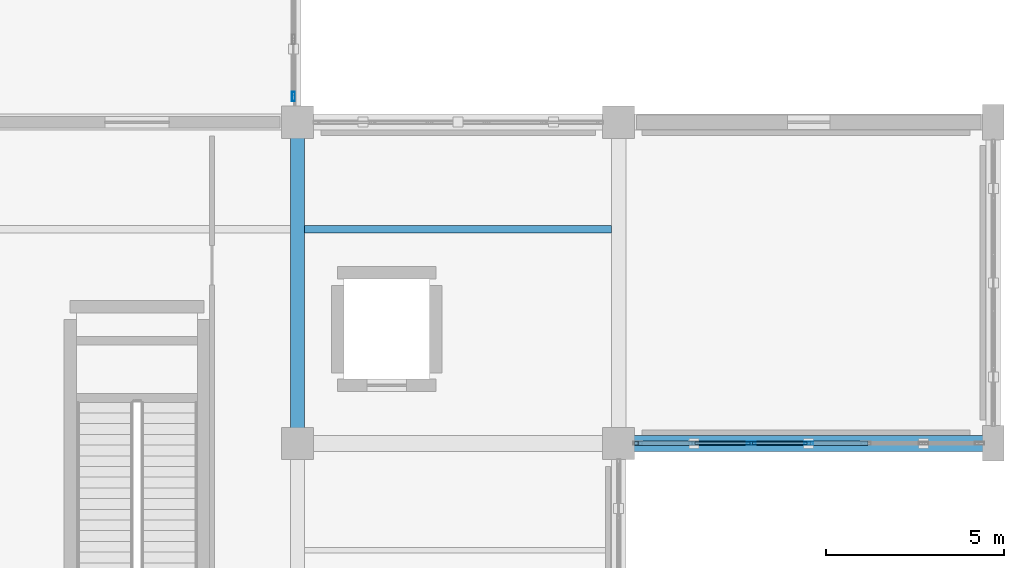
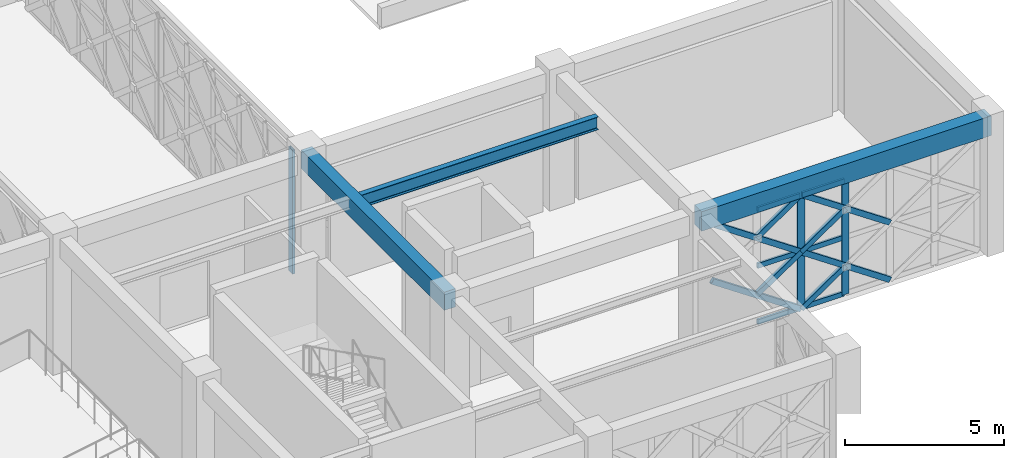
# One storey, part 102 of 166: 17 members, 3 beams, 2 elements without a shape of their own.
"""IFC4 building model written with IfcOpenShell, lengths in metres."""

import ifcopenshell
import ifcopenshell.guid

model = None  # the IFC model being written
_history = None  # IfcOwnerHistory: only IFC2X3 demands one
_inside = {}  # id of a spatial element -> (the spatial element, [elements in it])
_under = {}  # id of a project, library or spatial element -> (it, [spatial elements below it])
_declared = {}  # id of a project -> (the project, [libraries it declares])
_typed = {}  # id of a type object -> (the type object, [elements of that type])
_made_of = {}  # id of a material, layer set ... -> (it, [elements and type objects made of it])


def new_model(schema):
    """Start an empty IFC model of exactly this schema.

    Asked for "IFC4X3", IfcOpenShell would pick the latest addendum, in which some entities
    have other attributes; the version numbers below select the first issue.
    IFC2X3 requires an IfcOwnerHistory on every rooted entity: one is made here for all.
    """
    global model, _history
    if schema == "IFC4X3":
        model = ifcopenshell.file(schema_version=(4, 3, 0, 0))
    else:
        model = ifcopenshell.file(schema=schema)
    _inside.clear()
    _under.clear()
    _declared.clear()
    _typed.clear()
    _made_of.clear()
    _history = None
    if model.schema == "IFC2X3":
        org = make("IfcOrganization", Name="unknown")
        user = make(
            "IfcPersonAndOrganization",
            ThePerson=make("IfcPerson", FamilyName="unknown"),
            TheOrganization=org,
        )
        app = make(
            "IfcApplication",
            ApplicationDeveloper=org,
            Version="unknown",
            ApplicationFullName="unknown",
            ApplicationIdentifier="unknown",
        )
        _history = make(
            "IfcOwnerHistory",
            OwningUser=user,
            OwningApplication=app,
            ChangeAction="ADDED",
            CreationDate=0,
        )
    return model


def make(cls, **values):
    """One entity of the class cls with the attributes given. An attribute that is None is left unset."""
    return model.create_entity(
        cls, **{name: value for name, value in values.items() if value is not None}
    )


def rooted(cls, **values):
    """An entity with a GlobalId (a new one), such as an element, a storey or a relation."""
    return make(cls, GlobalId=ifcopenshell.guid.new(), OwnerHistory=_history, **values)


def si_unit(unit_type, name, prefix=None):
    """IfcSIUnit, for example si_unit("LENGTHUNIT", "METRE", prefix="MILLI")."""
    return make("IfcSIUnit", UnitType=unit_type, Prefix=prefix, Name=name)


def assignment(units):
    """IfcUnitAssignment: the units of a project."""
    return None if units is None else make("IfcUnitAssignment", Units=units)


def point(xyz):
    """IfcCartesianPoint."""
    return None if xyz is None else make("IfcCartesianPoint", Coordinates=xyz)


def direction(xyz):
    """IfcDirection."""
    return None if xyz is None else make("IfcDirection", DirectionRatios=xyz)


def frame(location, z_axis=None, x_axis=None):
    """IfcAxis2Placement3D, a coordinate frame: its origin and axes. An axis left out is left unset."""
    return make(
        "IfcAxis2Placement3D",
        Location=point(location),
        Axis=direction(z_axis),
        RefDirection=direction(x_axis),
    )


def frame_2d(location, x_axis=None):
    """IfcAxis2Placement2D, a coordinate frame in the plane: its origin and x axis."""
    return make(
        "IfcAxis2Placement2D", Location=point(location), RefDirection=direction(x_axis)
    )


def origin():
    """The frame at (0, 0, 0) with its axes left unset."""
    return frame((0.0, 0.0, 0.0))


def origin_2d():
    """The frame at (0, 0) in the plane with its x axis left unset."""
    return frame_2d((0.0, 0.0))


def place(relative_to, where):
    """IfcLocalPlacement: puts the frame where relative to a parent placement (None: the world)."""
    return make(
        "IfcLocalPlacement", PlacementRelTo=relative_to, RelativePlacement=where
    )


def context(
    kind, dimensions, precision=None, world=None, true_north=None, identifier=None
):
    """IfcGeometricRepresentationContext, for example the 3D "Model" context."""
    return make(
        "IfcGeometricRepresentationContext",
        ContextIdentifier=identifier,
        ContextType=kind,
        CoordinateSpaceDimension=dimensions,
        Precision=precision,
        WorldCoordinateSystem=world,
        TrueNorth=true_north,
    )


def subcontext(parent, identifier, kind, view, scale=None):
    """IfcGeometricRepresentationSubContext, for example "Body" below "Model"."""
    return make(
        "IfcGeometricRepresentationSubContext",
        ContextIdentifier=identifier,
        ContextType=kind,
        ParentContext=parent,
        TargetScale=scale,
        TargetView=view,
    )


def project(units=None, contexts=None):
    """IfcProject with its units and contexts."""
    return rooted(
        "IfcProject",
        Name="project",
        RepresentationContexts=contexts,
        UnitsInContext=assignment(units),
    )


def spatial(cls, under=None, at=None, **own):
    """A site, building, storey or space (cls), placed at a placement, below another one or the project."""
    s = rooted(cls, ObjectPlacement=at, **own)
    if under is not None:
        _under.setdefault(under.id(), (under, []))[1].append(s)
    return s


def profile(cls, at=None, kind="AREA", **sizes):
    """A parametric profile (cls). Its sizes go by their IFC names, for example OverallWidth=200.0."""
    return make(cls, ProfileType=kind, Position=at, **sizes)


def rectangle(**sizes):
    """IfcRectangleProfileDef."""
    return profile("IfcRectangleProfileDef", **sizes)


def hollow_rectangle(**sizes):
    """IfcRectangleHollowProfileDef."""
    return profile("IfcRectangleHollowProfileDef", **sizes)


def i_section(**sizes):
    """IfcIShapeProfileDef."""
    return profile("IfcIShapeProfileDef", **sizes)


def extrude(swept, where, along, depth):
    """IfcExtrudedAreaSolid: the profile swept, set in the frame where, extruded along a direction by depth."""
    return make(
        "IfcExtrudedAreaSolid",
        SweptArea=swept,
        Position=where,
        ExtrudedDirection=direction(along),
        Depth=depth,
    )


def shape(context_of_items, identifier, shape_type, items):
    """IfcShapeRepresentation: the items that make up one representation, for example the "Body"."""
    return make(
        "IfcShapeRepresentation",
        ContextOfItems=context_of_items,
        RepresentationIdentifier=identifier,
        RepresentationType=shape_type,
        Items=items,
    )


def material(Name=None, Category=None):
    """IfcMaterial."""
    return make("IfcMaterial", Name=Name, Category=Category)


def material_profile(
    of_material, cross_section, Name=None, Category=None, Priority=None
):
    """IfcMaterialProfile: a cross section and its material."""
    return make(
        "IfcMaterialProfile",
        Name=Name,
        Material=of_material,
        Profile=cross_section,
        Priority=Priority,
        Category=Category,
    )


def profile_set(profiles, Name=None, composite=None):
    """IfcMaterialProfileSet."""
    return make(
        "IfcMaterialProfileSet",
        Name=Name,
        MaterialProfiles=profiles,
        CompositeProfile=composite,
    )


def made_of(thing, what):
    """Note that an element or type object is made of a material, layer set ...; save() writes the relation."""
    if what is not None:
        _made_of.setdefault(what.id(), (what, []))[1].append(thing)
    return thing


def type_object(cls, material=None, **own):
    """A type object (cls), such as IfcWallType, which elements share."""
    return made_of(rooted(cls, **own), material)


def element(
    cls,
    number,
    at=None,
    inside=None,
    cuts=None,
    type_object=None,
    material=None,
    context=None,
    identifier="Body",
    shape_type=None,
    held_by="IfcProductDefinitionShape",
    body=None,
    shapes=None,
    **own,
):
    """One element of the class cls, such as IfcWall. Its Tag is "e" and its number.

    at: its placement. inside: the storey or other place that contains it. cuts: it is an
    opening in that element (IfcRelVoidsElement). A single representation is given by context,
    identifier, shape_type and body (its items); several are given by shapes. held_by: the class
    of the entity that holds the representations. save() writes the other relations.
    """
    e = rooted(cls, Tag="e%d" % number, ObjectPlacement=at, **own)
    if body is not None:
        shapes = [shape(context, identifier, shape_type, body)]
    if shapes is not None:
        e.Representation = make(held_by, Representations=shapes)
    if inside is not None:
        _inside.setdefault(inside.id(), (inside, []))[1].append(e)
    if cuts is not None:
        rooted(
            "IfcRelVoidsElement", RelatingBuildingElement=cuts, RelatedOpeningElement=e
        )
    if type_object is not None:
        _typed.setdefault(type_object.id(), (type_object, []))[1].append(e)
    return made_of(e, material)


def aggregate(whole, parts):
    """IfcRelAggregates: a whole, such as a stair, and the parts it consists of."""
    return rooted("IfcRelAggregates", RelatingObject=whole, RelatedObjects=parts)


def save(model, path):
    """Write the relations noted so far, then the file.

    IfcRelAggregates (storeys below a building ...), IfcRelContainedInSpatialStructure (elements
    in a storey), IfcRelDefinesByType, IfcRelAssociatesMaterial and IfcRelDeclares: one each for
    every whole, place, type object, material and project.
    """
    for whole, parts in _under.values():
        aggregate(whole, parts)
    for where, things in _inside.values():
        rooted(
            "IfcRelContainedInSpatialStructure",
            RelatedElements=things,
            RelatingStructure=where,
        )
    for kind, things in _typed.values():
        rooted("IfcRelDefinesByType", RelatedObjects=things, RelatingType=kind)
    for what, things in _made_of.values():
        rooted("IfcRelAssociatesMaterial", RelatedObjects=things, RelatingMaterial=what)
    for by, libraries in _declared.values():
        rooted("IfcRelDeclares", RelatingContext=by, RelatedDefinitions=libraries)
    model.write(path)


model = new_model("IFC4")

# Units and contexts
model_context = context("Model", 3, precision=1e-05, world=origin(), true_north=direction((0.0, 1.0)))
body_context = subcontext(model_context, "Body", "Model", "MODEL_VIEW")
ifc_project = project(units=[si_unit("LENGTHUNIT", "METRE"), si_unit("AREAUNIT", "SQUARE_METRE"), si_unit("VOLUMEUNIT", "CUBIC_METRE"), si_unit("PLANEANGLEUNIT", "RADIAN"), si_unit("MASSUNIT", "GRAM", prefix="KILO")], contexts=[model_context])

# Site, building, storey
site_placement = place(None, origin())
site = spatial("IfcSite", under=ifc_project, at=site_placement, CompositionType="ELEMENT")
building_placement = place(site_placement, origin())
building = spatial("IfcBuilding", under=site, at=building_placement, Name="Haizhuo Lancet Aquarium", CompositionType="ELEMENT")
storey_placement = place(building_placement, frame((0.0, 0.0, 5.39990234375)))
storey = spatial("IfcBuildingStorey", under=building, at=storey_placement, Name="L01", CompositionType="ELEMENT", Elevation=5.39990234375)

# Beams
ifc_material_1 = material(Name="Concrete C40/50", Category="concrete")
ifc_material_profile_1 = material_profile(ifc_material_1, rectangle(XDim=0.39990234375, YDim=0.699951171875, at=origin_2d()), Name="RC-BM 400x700")
ifc_profile_set_1 = profile_set([ifc_material_profile_1], Name="Concrete C40/50")
beam_type_1 = type_object("IfcBeamType", Name="BM-RC-400x700", PredefinedType="BEAM", material=ifc_profile_set_1)
beam_1_placement = place(storey_placement, frame((63.0, -18.0, 4.7900390625), z_axis=(0.0, 1.0, 0.0), x_axis=(-1.0, 0.0, 0.0)))
element("IfcBeam", 1, at=beam_1_placement, inside=storey, type_object=beam_type_1, Name="L01 V3 primary girder BM-L01-V3-024", PredefinedType="BEAM", context=body_context, shape_type="SweptSolid", body=[
    extrude(rectangle(XDim=0.39990234375, YDim=0.699951171875, at=origin_2d()), origin(), (0.0, 0.0, 1.0), 9.0),
])
ifc_material_profile_2 = material_profile(ifc_material_1, rectangle(XDim=0.449951171875, YDim=0.75, at=origin_2d()), Name="RC-BM 450x750")
ifc_profile_set_2 = profile_set([ifc_material_profile_2], Name="Concrete C40/50")
beam_type_2 = type_object("IfcBeamType", Name="BM-RC-450x750", PredefinedType="BEAM", material=ifc_profile_set_2)
beam_2_placement = place(storey_placement, frame((72.0, -18.0, 4.76513671875), z_axis=(1.0, 0.0, 0.0), x_axis=(0.0, 1.0, 0.0)))
element("IfcBeam", 2, at=beam_2_placement, inside=storey, type_object=beam_type_2, Name="L01 V3 primary girder BM-L01-V3-029", PredefinedType="BEAM", context=body_context, shape_type="SweptSolid", body=[
    extrude(rectangle(XDim=0.449951171875, YDim=0.75, at=origin_2d()), origin(), (0.0, 0.0, 1.0), 10.5),
])

# Curtain wall, members
ifc_material_2 = material(Name="Aluminium 6063-T6", Category="aluminium")
curtain_wall_type_1 = type_object("IfcCurtainWallType", Name="CWO-9660x4390", PredefinedType="NOTDEFINED", material=ifc_material_2)
curtain_wall_1_placement = place(storey_placement, origin())
curtain_wall_1 = element("IfcCurtainWall", 3, at=curtain_wall_1_placement, inside=storey, type_object=curtain_wall_type_1, Name="L01 curtain wall CW-V3-L01-042", PredefinedType="NOTDEFINED")
ifc_material_profile_3 = material_profile(ifc_material_2, hollow_rectangle(XDim=0.080078125, YDim=0.260009765625, WallThickness=0.0048828125, at=origin_2d()), Name="ALU-M 80x260x5")
ifc_profile_set_3 = profile_set([ifc_material_profile_3], Name="Aluminium 6063-T6")
member_type_1 = type_object("IfcMemberType", Name="CW-MUL-3", PredefinedType="MULLION", material=ifc_profile_set_3)
member_1_placement = place(storey_placement, frame((77.324951171875, -18.0, 0.0), z_axis=(0.0, 0.0, 1.0), x_axis=(0.0, -1.0, 0.0)))
member_1 = element("IfcMember", 4, at=member_1_placement, type_object=member_type_1, Name="CWO-96x43 mullion 4", PredefinedType="MULLION", context=body_context, shape_type="SweptSolid", body=[
    extrude(hollow_rectangle(XDim=0.080078125, YDim=0.260009765625, WallThickness=0.0048828125, at=origin_2d()), origin(), (0.0, 0.0, 1.0), 4.39013671875),
])
member_2_placement = place(storey_placement, frame((75.715087890625, -18.0, 0.0), z_axis=(0.0, 0.0, 1.0), x_axis=(0.0, -1.0, 0.0)))
member_2 = element("IfcMember", 5, at=member_2_placement, type_object=member_type_1, Name="CWO-96x43 mullion 5", PredefinedType="MULLION", context=body_context, shape_type="SweptSolid", body=[
    extrude(hollow_rectangle(XDim=0.080078125, YDim=0.260009765625, WallThickness=0.0048828125, at=origin_2d()), origin(), (0.0, 0.0, 1.0), 4.39013671875),
])

# Curtain wall, member
curtain_wall_type_2 = type_object("IfcCurtainWallType", Name="CWO-8200x4750", PredefinedType="NOTDEFINED", material=ifc_material_2)
curtain_wall_2_placement = place(storey_placement, origin())
curtain_wall_2 = element("IfcCurtainWall", 6, at=curtain_wall_2_placement, inside=storey, type_object=curtain_wall_type_2, Name="L01 curtain wall CW-SB-02-E1", PredefinedType="NOTDEFINED")
member_3_placement = place(storey_placement, frame((62.8798828125, -8.280029296875, 0.0), z_axis=(0.0, 0.0, 1.0), x_axis=(1.0, 0.0, 0.0)))
member_3 = element("IfcMember", 7, at=member_3_placement, type_object=member_type_1, Name="CWO-82x47 mullion 6", PredefinedType="MULLION", context=body_context, shape_type="SweptSolid", body=[
    extrude(hollow_rectangle(XDim=0.080078125, YDim=0.260009765625, WallThickness=0.0048828125, at=origin_2d()), origin(), (0.0, 0.0, 1.0), 4.75),
])
aggregate(curtain_wall_2, [member_3])

# Member
ifc_material_profile_4 = material_profile(ifc_material_2, hollow_rectangle(XDim=0.080078125, YDim=0.18994140625, WallThickness=0.0048828125, at=origin_2d()), Name="ALU-T 80x190x5")
ifc_profile_set_4 = profile_set([ifc_material_profile_4], Name="Aluminium 6063-T6")
member_type_2 = type_object("IfcMemberType", Name="CW-TRN-3", PredefinedType="NOTDEFINED", material=ifc_profile_set_4)
member_4_placement = place(storey_placement, frame((77.284912109375, -18.0, 0.0400390625), z_axis=(-1.0, 0.0, 0.0), x_axis=(0.0, -1.0, 0.0)))
member_4 = element("IfcMember", 8, at=member_4_placement, type_object=member_type_2, Name="CWO-96x43 transom 4.1", ObjectType="TRANSOM", PredefinedType="USERDEFINED", context=body_context, shape_type="SweptSolid", body=[
    extrude(hollow_rectangle(XDim=0.080078125, YDim=0.18994140625, WallThickness=0.0048828125, at=origin_2d()), origin(), (0.0, 0.0, 1.0), 1.530029296875),
])

member_5_placement = place(storey_placement, frame((77.284912109375, -18.0, 2.195068359375), z_axis=(-1.0, 0.0, 0.0), x_axis=(0.0, -1.0, 0.0)))
member_5 = element("IfcMember", 9, at=member_5_placement, type_object=member_type_2, Name="CWO-96x43 transom 4.2", ObjectType="TRANSOM", PredefinedType="USERDEFINED", context=body_context, shape_type="SweptSolid", body=[
    extrude(hollow_rectangle(XDim=0.080078125, YDim=0.18994140625, WallThickness=0.0048828125, at=origin_2d()), origin(), (0.0, 0.0, 1.0), 1.530029296875),
])

member_6_placement = place(storey_placement, frame((77.284912109375, -18.0, 4.35009765625), z_axis=(-1.0, 0.0, 0.0), x_axis=(0.0, -1.0, 0.0)))
member_6 = element("IfcMember", 10, at=member_6_placement, type_object=member_type_2, Name="CWO-96x43 transom 4.3", ObjectType="TRANSOM", PredefinedType="USERDEFINED", context=body_context, shape_type="SweptSolid", body=[
    extrude(hollow_rectangle(XDim=0.080078125, YDim=0.18994140625, WallThickness=0.0048828125, at=origin_2d()), origin(), (0.0, 0.0, 1.0), 1.530029296875),
])

member_7_placement = place(storey_placement, frame((75.675048828125, -18.0, 0.0400390625), z_axis=(-1.0, 0.0, 0.0), x_axis=(0.0, -1.0, 0.0)))
member_7 = element("IfcMember", 11, at=member_7_placement, type_object=member_type_2, Name="CWO-96x43 transom 5.1", ObjectType="TRANSOM", PredefinedType="USERDEFINED", context=body_context, shape_type="SweptSolid", body=[
    extrude(hollow_rectangle(XDim=0.080078125, YDim=0.18994140625, WallThickness=0.0048828125, at=origin_2d()), origin(), (0.0, 0.0, 1.0), 1.530029296875),
])

member_8_placement = place(storey_placement, frame((75.675048828125, -18.0, 2.195068359375), z_axis=(-1.0, 0.0, 0.0), x_axis=(0.0, -1.0, 0.0)))
member_8 = element("IfcMember", 12, at=member_8_placement, type_object=member_type_2, Name="CWO-96x43 transom 5.2", ObjectType="TRANSOM", PredefinedType="USERDEFINED", context=body_context, shape_type="SweptSolid", body=[
    extrude(hollow_rectangle(XDim=0.080078125, YDim=0.18994140625, WallThickness=0.0048828125, at=origin_2d()), origin(), (0.0, 0.0, 1.0), 1.530029296875),
])

member_9_placement = place(storey_placement, frame((75.675048828125, -18.0, 4.35009765625), z_axis=(-1.0, 0.0, 0.0), x_axis=(0.0, -1.0, 0.0)))
member_9 = element("IfcMember", 13, at=member_9_placement, type_object=member_type_2, Name="CWO-96x43 transom 5.3", ObjectType="TRANSOM", PredefinedType="USERDEFINED", context=body_context, shape_type="SweptSolid", body=[
    extrude(hollow_rectangle(XDim=0.080078125, YDim=0.18994140625, WallThickness=0.0048828125, at=origin_2d()), origin(), (0.0, 0.0, 1.0), 1.530029296875),
])

aggregate(curtain_wall_1, [member_1, member_2, member_4, member_5, member_6, member_7, member_8, member_9])

# Beam
ifc_material_3 = material(Name="Steel S355", Category="steel")
ifc_material_profile_5 = material_profile(ifc_material_3, i_section(OverallWidth=0.199951171875, OverallDepth=0.5, WebThickness=0.010009765625, FlangeThickness=0.01611328125, FilletRadius=0.02001953125, at=origin_2d()), Name="HN 500x200x10x16")
ifc_profile_set_5 = profile_set([ifc_material_profile_5], Name="Steel S355")
beam_type_3 = type_object("IfcBeamType", Name="JST-ST-HN500", PredefinedType="JOIST", material=ifc_profile_set_5)
beam_3_placement = place(storey_placement, frame((63.199951171875, -12.0, 4.89013671875), z_axis=(1.0, 0.0, 0.0), x_axis=(0.0, 1.0, 0.0)))
element("IfcBeam", 14, at=beam_3_placement, inside=storey, type_object=beam_type_3, Name="L01 V3 secondary floor joist 13", PredefinedType="JOIST", context=body_context, shape_type="SweptSolid", body=[
    extrude(i_section(OverallWidth=0.199951171875, OverallDepth=0.5, WebThickness=0.010009765625, FlangeThickness=0.01611328125, FilletRadius=0.02001953125, at=origin_2d()), origin(), (0.0, 0.0, 1.0), 8.60009765625),
])

# Members
ifc_material_profile_6 = material_profile(ifc_material_3, hollow_rectangle(XDim=0.1201171875, YDim=0.199951171875, WallThickness=0.008056640625, at=origin_2d()), Name="RHS 120x200x8")
ifc_profile_set_6 = profile_set([ifc_material_profile_6], Name="Steel S355")
member_type_3 = type_object("IfcMemberType", Name="MEM-LB-RHS120x200", PredefinedType="BRACE", material=ifc_profile_set_6)
member_10_placement = place(storey_placement, frame((78.93505859375, -18.0, 0.0), z_axis=(-0.826271079398, 0.0, 0.563272672292), x_axis=(0.0, -1.0, 0.0)))
element("IfcMember", 15, at=member_10_placement, inside=storey, type_object=member_type_3, Name="Gothic lancet continuous diagonal brace CW-V3-L01-042 3A", PredefinedType="BRACE", context=body_context, shape_type="SweptSolid", body=[
    extrude(hollow_rectangle(XDim=0.1201171875, YDim=0.199951171875, WallThickness=0.008056640625, at=origin_2d()), origin(), (0.0, 0.0, 1.0), 3.89697265625),
])
member_11_placement = place(storey_placement, frame((75.715087890625, -18.0, 0.0), z_axis=(0.826105399408, 0.0, 0.563515633385), x_axis=(0.0, 1.0, 0.0)))
element("IfcMember", 16, at=member_11_placement, inside=storey, type_object=member_type_3, Name="Gothic lancet split diagonal brace CW-V3-L01-042 3B1", PredefinedType="BRACE", context=body_context, shape_type="SweptSolid", body=[
    extrude(hollow_rectangle(XDim=0.1201171875, YDim=0.199951171875, WallThickness=0.008056640625, at=origin_2d()), origin(), (0.0, 0.0, 1.0), 1.94873046875),
])
member_12_placement = place(storey_placement, frame((78.93505859375, -18.0, 2.195068359375), z_axis=(-0.826271079398, 0.0, 0.563272672292), x_axis=(0.0, -1.0, 0.0)))
element("IfcMember", 17, at=member_12_placement, inside=storey, type_object=member_type_3, Name="Gothic lancet continuous diagonal brace CW-V3-L01-042 4A", PredefinedType="BRACE", context=body_context, shape_type="SweptSolid", body=[
    extrude(hollow_rectangle(XDim=0.1201171875, YDim=0.199951171875, WallThickness=0.008056640625, at=origin_2d()), origin(), (0.0, 0.0, 1.0), 3.89697265625),
])
member_13_placement = place(storey_placement, frame((75.715087890625, -18.0, 2.195068359375), z_axis=(0.826396998658, 0.0, 0.563087915525), x_axis=(0.0, 1.0, 0.0)))
element("IfcMember", 18, at=member_13_placement, inside=storey, type_object=member_type_3, Name="Gothic lancet split diagonal brace CW-V3-L01-042 4B1", PredefinedType="BRACE", context=body_context, shape_type="SweptSolid", body=[
    extrude(hollow_rectangle(XDim=0.1201171875, YDim=0.199951171875, WallThickness=0.008056640625, at=origin_2d()), origin(), (0.0, 0.0, 1.0), 1.947998046875),
])
member_14_placement = place(storey_placement, frame((75.715087890625, -18.0, 0.0), z_axis=(-0.826271079398, 0.0, 0.563272672292), x_axis=(0.0, -1.0, 0.0)))
element("IfcMember", 19, at=member_14_placement, inside=storey, type_object=member_type_3, Name="Gothic lancet continuous diagonal brace CW-V3-L01-042 5A", PredefinedType="BRACE", context=body_context, shape_type="SweptSolid", body=[
    extrude(hollow_rectangle(XDim=0.1201171875, YDim=0.199951171875, WallThickness=0.008056640625, at=origin_2d()), origin(), (0.0, 0.0, 1.0), 3.89697265625),
])
member_15_placement = place(storey_placement, frame((74.10498046875, -18.0, 1.09814453125), z_axis=(0.826436729222, 0.0, 0.563029601879), x_axis=(0.0, 1.0, 0.0)))
element("IfcMember", 20, at=member_15_placement, inside=storey, type_object=member_type_3, Name="Gothic lancet split diagonal brace CW-V3-L01-042 5B2", PredefinedType="BRACE", context=body_context, shape_type="SweptSolid", body=[
    extrude(hollow_rectangle(XDim=0.1201171875, YDim=0.199951171875, WallThickness=0.008056640625, at=origin_2d()), origin(), (0.0, 0.0, 1.0), 1.9482421875),
])
member_16_placement = place(storey_placement, frame((75.715087890625, -18.0, 2.195068359375), z_axis=(-0.826271079398, 0.0, 0.563272672292), x_axis=(0.0, -1.0, 0.0)))
element("IfcMember", 21, at=member_16_placement, inside=storey, type_object=member_type_3, Name="Gothic lancet continuous diagonal brace CW-V3-L01-042 6A", PredefinedType="BRACE", context=body_context, shape_type="SweptSolid", body=[
    extrude(hollow_rectangle(XDim=0.1201171875, YDim=0.199951171875, WallThickness=0.008056640625, at=origin_2d()), origin(), (0.0, 0.0, 1.0), 3.89697265625),
])
member_17_placement = place(storey_placement, frame((74.10498046875, -18.0, 3.2919921875), z_axis=(0.826145176318, 0.0, 0.563457316615), x_axis=(0.0, 1.0, 0.0)))
element("IfcMember", 22, at=member_17_placement, inside=storey, type_object=member_type_3, Name="Gothic lancet split diagonal brace CW-V3-L01-042 6B2", PredefinedType="BRACE", context=body_context, shape_type="SweptSolid", body=[
    extrude(hollow_rectangle(XDim=0.1201171875, YDim=0.199951171875, WallThickness=0.008056640625, at=origin_2d()), origin(), (0.0, 0.0, 1.0), 1.948974609375),
])

save(model, "model.ifc")
